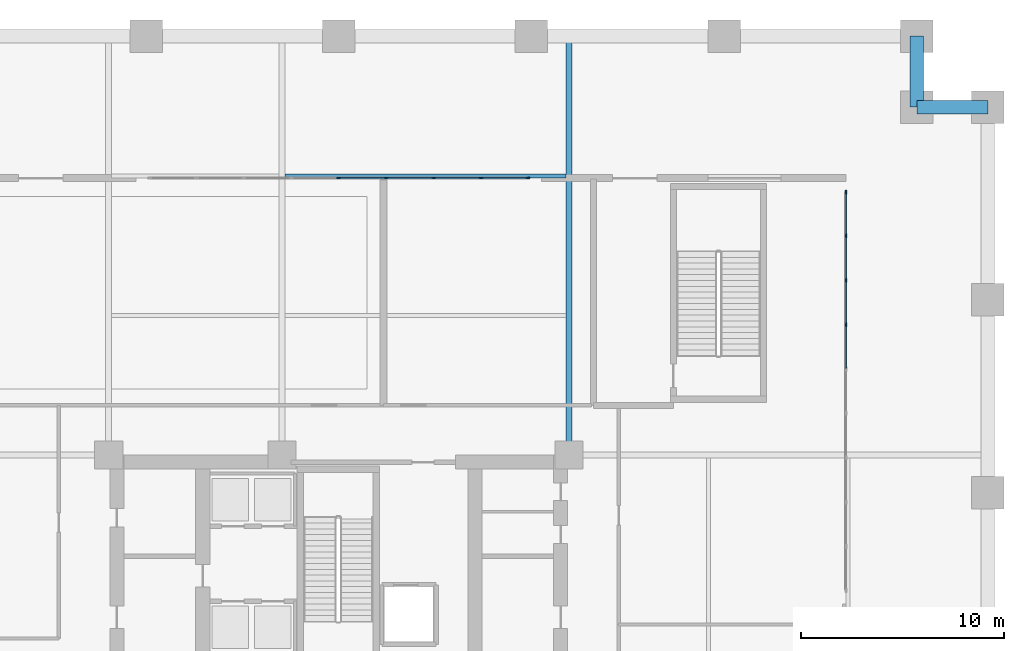
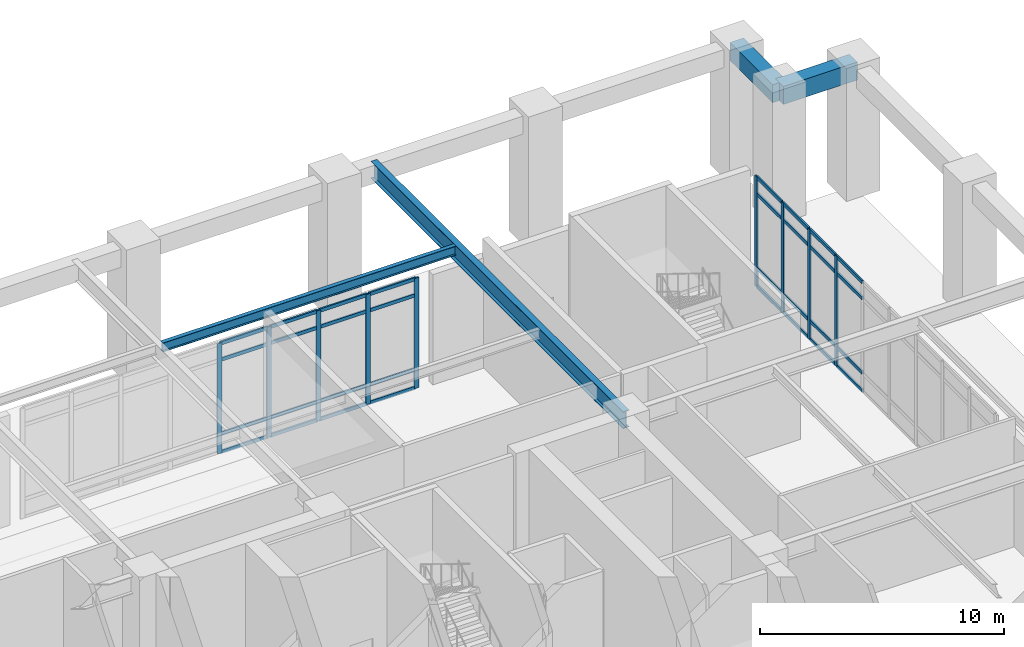
# One storey, part 6 of 17: 41 members, 4 beams, 2 elements without a shape of their own.
"""IFC4 building model written with IfcOpenShell, lengths in metres."""

from ifc_helpers import new_model, si_unit, direction, frame, origin, origin_2d, place, context, subcontext, project, spatial, rectangle, i_section, extrude, material, layer, layer_set, material_profile, profile_set, type_object, element, aggregate, save


model = new_model("IFC4")

# Units and contexts
model_context = context("Model", 3, precision=1e-05, world=origin(), true_north=direction((0.0, 1.0)))
body_context = subcontext(model_context, "Body", "Model", "MODEL_VIEW")
ifc_project = project(units=[si_unit("LENGTHUNIT", "METRE"), si_unit("AREAUNIT", "SQUARE_METRE"), si_unit("VOLUMEUNIT", "CUBIC_METRE"), si_unit("PLANEANGLEUNIT", "RADIAN"), si_unit("MASSUNIT", "GRAM", prefix="KILO")], contexts=[model_context])

# Site, building, storey
site_placement = place(None, origin())
site = spatial("IfcSite", under=ifc_project, at=site_placement, CompositionType="ELEMENT")
building_placement = place(site_placement, origin())
building = spatial("IfcBuilding", under=site, at=building_placement, Name="Nhamokura Convention Tower", CompositionType="ELEMENT")
storey_placement = place(building_placement, origin())
storey = spatial("IfcBuildingStorey", under=building, at=storey_placement, Name="L00", CompositionType="ELEMENT", Elevation=0.0)

# Curtain wall, members
ifc_material_1 = material(Name="Anodised bronze aluminium AA6063-T6", Category="aluminium")
ifc_layer = layer(ifc_material_1, 0.179931640625)
ifc_layer_set = layer_set([ifc_layer], Name="CWSystem_PodiumConcourse")
curtain_wall_type = type_object("IfcCurtainWallType", Name="CWSystem_PodiumConcourse", PredefinedType="NOTDEFINED", material=ifc_layer_set)
curtain_wall_1_placement = place(storey_placement, origin())
curtain_wall_1 = element("IfcCurtainWall", 1, at=curtain_wall_1_placement, inside=storey, type_object=curtain_wall_type, Name="L00 Curtain Wall ENV-L00-CW-NCW", PredefinedType="NOTDEFINED")
ifc_material_2 = material(Name="Anodised bronze aluminium AA6063-T6", Category="aluminium")
ifc_material_profile_1 = material_profile(ifc_material_2, rectangle(XDim=0.077880859375, YDim=0.201904296875, at=origin_2d()))
ifc_profile_set_1 = profile_set([ifc_material_profile_1], Name="Anodised bronze aluminium AA6063-T6")
member_type_1 = type_object("IfcMemberType", Name="CWMullion_1", PredefinedType="MULLION", material=ifc_profile_set_1)
member_1_placement = place(storey_placement, frame((32.0, 57.0, 0.0), z_axis=(0.0, 0.0, 1.0), x_axis=(0.0, 1.0, 0.0)))
member_1 = element("IfcMember", 2, at=member_1_placement, type_object=member_type_1, Name="CW-01 mullion 5", PredefinedType="MULLION", context=body_context, shape_type="SweptSolid", body=[
    extrude(rectangle(XDim=0.077880859375, YDim=0.201904296875, at=origin_2d()), origin(), (0.0, 0.0, 1.0), 5.510009765625),
])
member_2_placement = place(storey_placement, frame((34.33740234375, 57.0, 0.0), z_axis=(0.0, 0.0, 1.0), x_axis=(0.0, 1.0, 0.0)))
member_2 = element("IfcMember", 3, at=member_2_placement, type_object=member_type_1, Name="CW-01 mullion 6", PredefinedType="MULLION", context=body_context, shape_type="SweptSolid", body=[
    extrude(rectangle(XDim=0.077880859375, YDim=0.201904296875, at=origin_2d()), origin(), (0.0, 0.0, 1.0), 5.510009765625),
])
member_3_placement = place(storey_placement, frame((36.675048828125, 57.0, 0.0), z_axis=(0.0, 0.0, 1.0), x_axis=(0.0, 1.0, 0.0)))
member_3 = element("IfcMember", 4, at=member_3_placement, type_object=member_type_1, Name="CW-01 mullion 7", PredefinedType="MULLION", context=body_context, shape_type="SweptSolid", body=[
    extrude(rectangle(XDim=0.077880859375, YDim=0.201904296875, at=origin_2d()), origin(), (0.0, 0.0, 1.0), 5.510009765625),
])
member_4_placement = place(storey_placement, frame((39.012451171875, 57.0, 0.0), z_axis=(0.0, 0.0, 1.0), x_axis=(0.0, 1.0, 0.0)))
member_4 = element("IfcMember", 5, at=member_4_placement, type_object=member_type_1, Name="CW-01 mullion 8", PredefinedType="MULLION", context=body_context, shape_type="SweptSolid", body=[
    extrude(rectangle(XDim=0.077880859375, YDim=0.201904296875, at=origin_2d()), origin(), (0.0, 0.0, 1.0), 5.510009765625),
])
member_5_placement = place(storey_placement, frame((41.31103515625, 57.0, 0.0), z_axis=(0.0, 0.0, 1.0), x_axis=(0.0, 1.0, 0.0)))
member_5 = element("IfcMember", 6, at=member_5_placement, type_object=member_type_1, Name="CW-01 mullion 9", PredefinedType="MULLION", context=body_context, shape_type="SweptSolid", body=[
    extrude(rectangle(XDim=0.077880859375, YDim=0.201904296875, at=origin_2d()), origin(), (0.0, 0.0, 1.0), 5.510009765625),
])

curtain_wall_2_placement = place(storey_placement, origin())
curtain_wall_2 = element("IfcCurtainWall", 7, at=curtain_wall_2_placement, inside=storey, type_object=curtain_wall_type, Name="L00 Curtain Wall ENV-L00-CW-EN", PredefinedType="NOTDEFINED")
member_6_placement = place(storey_placement, frame((57.0, 56.31103515625, 0.0), z_axis=(0.0, 0.0, 1.0), x_axis=(1.0, 0.0, 0.0)))
member_6 = element("IfcMember", 8, at=member_6_placement, type_object=member_type_1, Name="CW-01 mullion 1", PredefinedType="MULLION", context=body_context, shape_type="SweptSolid", body=[
    extrude(rectangle(XDim=0.077880859375, YDim=0.201904296875, at=origin_2d()), origin(), (0.0, 0.0, 1.0), 5.510009765625),
])
member_7_placement = place(storey_placement, frame((57.0, 54.1611328125, 0.0), z_axis=(0.0, 0.0, 1.0), x_axis=(1.0, 0.0, 0.0)))
member_7 = element("IfcMember", 9, at=member_7_placement, type_object=member_type_1, Name="CW-01 mullion 2", PredefinedType="MULLION", context=body_context, shape_type="SweptSolid", body=[
    extrude(rectangle(XDim=0.077880859375, YDim=0.201904296875, at=origin_2d()), origin(), (0.0, 0.0, 1.0), 5.510009765625),
])
member_8_placement = place(storey_placement, frame((57.0, 51.97216796875, 0.0), z_axis=(0.0, 0.0, 1.0), x_axis=(1.0, 0.0, 0.0)))
member_8 = element("IfcMember", 10, at=member_8_placement, type_object=member_type_1, Name="CW-01 mullion 3", PredefinedType="MULLION", context=body_context, shape_type="SweptSolid", body=[
    extrude(rectangle(XDim=0.077880859375, YDim=0.201904296875, at=origin_2d()), origin(), (0.0, 0.0, 1.0), 5.510009765625),
])
member_9_placement = place(storey_placement, frame((57.0, 49.783447265625, 0.0), z_axis=(0.0, 0.0, 1.0), x_axis=(1.0, 0.0, 0.0)))
member_9 = element("IfcMember", 11, at=member_9_placement, type_object=member_type_1, Name="CW-01 mullion 4", PredefinedType="MULLION", context=body_context, shape_type="SweptSolid", body=[
    extrude(rectangle(XDim=0.077880859375, YDim=0.201904296875, at=origin_2d()), origin(), (0.0, 0.0, 1.0), 5.510009765625),
])

# Member
ifc_material_3 = material(Name="Anodised bronze aluminium AA6063-T6", Category="aluminium")
ifc_material_profile_2 = material_profile(ifc_material_3, rectangle(XDim=0.077880859375, YDim=0.172119140625, at=origin_2d()))
ifc_profile_set_2 = profile_set([ifc_material_profile_2], Name="Anodised bronze aluminium AA6063-T6")
member_type_2 = type_object("IfcMemberType", Name="CWTransom_1", PredefinedType="USERDEFINED", material=ifc_profile_set_2)
member_10_placement = place(storey_placement, frame((32.0390625, 57.0, 0.0390625), z_axis=(1.0, 0.0, 0.0), x_axis=(0.0, 1.0, 0.0)))
member_10 = element("IfcMember", 12, at=member_10_placement, type_object=member_type_2, Name="CW-01 transom 5.1", ObjectType="TRANSOM", PredefinedType="USERDEFINED", context=body_context, shape_type="SweptSolid", body=[
    extrude(rectangle(XDim=0.077880859375, YDim=0.172119140625, at=origin_2d()), origin(), (0.0, 0.0, 1.0), 2.259521484375),
])

member_11_placement = place(storey_placement, frame((32.0390625, 57.0, 0.949951171875), z_axis=(1.0, 0.0, 0.0), x_axis=(0.0, 1.0, 0.0)))
member_11 = element("IfcMember", 13, at=member_11_placement, type_object=member_type_2, Name="CW-01 transom 5.2", ObjectType="TRANSOM", PredefinedType="USERDEFINED", context=body_context, shape_type="SweptSolid", body=[
    extrude(rectangle(XDim=0.077880859375, YDim=0.172119140625, at=origin_2d()), origin(), (0.0, 0.0, 1.0), 2.259521484375),
])

member_12_placement = place(storey_placement, frame((32.0390625, 57.0, 4.659912109375), z_axis=(1.0, 0.0, 0.0), x_axis=(0.0, 1.0, 0.0)))
member_12 = element("IfcMember", 14, at=member_12_placement, type_object=member_type_2, Name="CW-01 transom 5.3", ObjectType="TRANSOM", PredefinedType="USERDEFINED", context=body_context, shape_type="SweptSolid", body=[
    extrude(rectangle(XDim=0.077880859375, YDim=0.172119140625, at=origin_2d()), origin(), (0.0, 0.0, 1.0), 2.259521484375),
])

member_13_placement = place(storey_placement, frame((32.0390625, 57.0, 5.470947265625), z_axis=(1.0, 0.0, 0.0), x_axis=(0.0, 1.0, 0.0)))
member_13 = element("IfcMember", 15, at=member_13_placement, type_object=member_type_2, Name="CW-01 transom 5.4", ObjectType="TRANSOM", PredefinedType="USERDEFINED", context=body_context, shape_type="SweptSolid", body=[
    extrude(rectangle(XDim=0.077880859375, YDim=0.172119140625, at=origin_2d()), origin(), (0.0, 0.0, 1.0), 2.259521484375),
])

member_14_placement = place(storey_placement, frame((34.37646484375, 57.0, 0.0390625), z_axis=(1.0, 0.0, 0.0), x_axis=(0.0, 1.0, 0.0)))
member_14 = element("IfcMember", 16, at=member_14_placement, type_object=member_type_2, Name="CW-01 transom 6.1", ObjectType="TRANSOM", PredefinedType="USERDEFINED", context=body_context, shape_type="SweptSolid", body=[
    extrude(rectangle(XDim=0.077880859375, YDim=0.172119140625, at=origin_2d()), origin(), (0.0, 0.0, 1.0), 2.259521484375),
])

member_15_placement = place(storey_placement, frame((34.37646484375, 57.0, 0.949951171875), z_axis=(1.0, 0.0, 0.0), x_axis=(0.0, 1.0, 0.0)))
member_15 = element("IfcMember", 17, at=member_15_placement, type_object=member_type_2, Name="CW-01 transom 6.2", ObjectType="TRANSOM", PredefinedType="USERDEFINED", context=body_context, shape_type="SweptSolid", body=[
    extrude(rectangle(XDim=0.077880859375, YDim=0.172119140625, at=origin_2d()), origin(), (0.0, 0.0, 1.0), 2.259521484375),
])

member_16_placement = place(storey_placement, frame((34.37646484375, 57.0, 4.659912109375), z_axis=(1.0, 0.0, 0.0), x_axis=(0.0, 1.0, 0.0)))
member_16 = element("IfcMember", 18, at=member_16_placement, type_object=member_type_2, Name="CW-01 transom 6.3", ObjectType="TRANSOM", PredefinedType="USERDEFINED", context=body_context, shape_type="SweptSolid", body=[
    extrude(rectangle(XDim=0.077880859375, YDim=0.172119140625, at=origin_2d()), origin(), (0.0, 0.0, 1.0), 2.259521484375),
])

member_17_placement = place(storey_placement, frame((34.37646484375, 57.0, 5.470947265625), z_axis=(1.0, 0.0, 0.0), x_axis=(0.0, 1.0, 0.0)))
member_17 = element("IfcMember", 19, at=member_17_placement, type_object=member_type_2, Name="CW-01 transom 6.4", ObjectType="TRANSOM", PredefinedType="USERDEFINED", context=body_context, shape_type="SweptSolid", body=[
    extrude(rectangle(XDim=0.077880859375, YDim=0.172119140625, at=origin_2d()), origin(), (0.0, 0.0, 1.0), 2.259521484375),
])

member_18_placement = place(storey_placement, frame((36.714111328125, 57.0, 0.0390625), z_axis=(1.0, 0.0, 0.0), x_axis=(0.0, 1.0, 0.0)))
member_18 = element("IfcMember", 20, at=member_18_placement, type_object=member_type_2, Name="CW-01 transom 7.1", ObjectType="TRANSOM", PredefinedType="USERDEFINED", context=body_context, shape_type="SweptSolid", body=[
    extrude(rectangle(XDim=0.077880859375, YDim=0.172119140625, at=origin_2d()), origin(), (0.0, 0.0, 1.0), 2.25927734375),
])

member_19_placement = place(storey_placement, frame((36.714111328125, 57.0, 0.949951171875), z_axis=(1.0, 0.0, 0.0), x_axis=(0.0, 1.0, 0.0)))
member_19 = element("IfcMember", 21, at=member_19_placement, type_object=member_type_2, Name="CW-01 transom 7.2", ObjectType="TRANSOM", PredefinedType="USERDEFINED", context=body_context, shape_type="SweptSolid", body=[
    extrude(rectangle(XDim=0.077880859375, YDim=0.172119140625, at=origin_2d()), origin(), (0.0, 0.0, 1.0), 2.25927734375),
])

member_20_placement = place(storey_placement, frame((36.714111328125, 57.0, 4.659912109375), z_axis=(1.0, 0.0, 0.0), x_axis=(0.0, 1.0, 0.0)))
member_20 = element("IfcMember", 22, at=member_20_placement, type_object=member_type_2, Name="CW-01 transom 7.3", ObjectType="TRANSOM", PredefinedType="USERDEFINED", context=body_context, shape_type="SweptSolid", body=[
    extrude(rectangle(XDim=0.077880859375, YDim=0.172119140625, at=origin_2d()), origin(), (0.0, 0.0, 1.0), 2.25927734375),
])

member_21_placement = place(storey_placement, frame((36.714111328125, 57.0, 5.470947265625), z_axis=(1.0, 0.0, 0.0), x_axis=(0.0, 1.0, 0.0)))
member_21 = element("IfcMember", 23, at=member_21_placement, type_object=member_type_2, Name="CW-01 transom 7.4", ObjectType="TRANSOM", PredefinedType="USERDEFINED", context=body_context, shape_type="SweptSolid", body=[
    extrude(rectangle(XDim=0.077880859375, YDim=0.172119140625, at=origin_2d()), origin(), (0.0, 0.0, 1.0), 2.25927734375),
])

member_22_placement = place(storey_placement, frame((39.051513671875, 57.0, 0.0390625), z_axis=(1.0, 0.0, 0.0), x_axis=(0.0, 1.0, 0.0)))
member_22 = element("IfcMember", 24, at=member_22_placement, type_object=member_type_2, Name="CW-01 transom 8.1", ObjectType="TRANSOM", PredefinedType="USERDEFINED", context=body_context, shape_type="SweptSolid", body=[
    extrude(rectangle(XDim=0.077880859375, YDim=0.172119140625, at=origin_2d()), origin(), (0.0, 0.0, 1.0), 2.220458984375),
])

member_23_placement = place(storey_placement, frame((39.051513671875, 57.0, 0.949951171875), z_axis=(1.0, 0.0, 0.0), x_axis=(0.0, 1.0, 0.0)))
member_23 = element("IfcMember", 25, at=member_23_placement, type_object=member_type_2, Name="CW-01 transom 8.2", ObjectType="TRANSOM", PredefinedType="USERDEFINED", context=body_context, shape_type="SweptSolid", body=[
    extrude(rectangle(XDim=0.077880859375, YDim=0.172119140625, at=origin_2d()), origin(), (0.0, 0.0, 1.0), 2.220458984375),
])

member_24_placement = place(storey_placement, frame((39.051513671875, 57.0, 4.659912109375), z_axis=(1.0, 0.0, 0.0), x_axis=(0.0, 1.0, 0.0)))
member_24 = element("IfcMember", 26, at=member_24_placement, type_object=member_type_2, Name="CW-01 transom 8.3", ObjectType="TRANSOM", PredefinedType="USERDEFINED", context=body_context, shape_type="SweptSolid", body=[
    extrude(rectangle(XDim=0.077880859375, YDim=0.172119140625, at=origin_2d()), origin(), (0.0, 0.0, 1.0), 2.220458984375),
])

member_25_placement = place(storey_placement, frame((39.051513671875, 57.0, 5.470947265625), z_axis=(1.0, 0.0, 0.0), x_axis=(0.0, 1.0, 0.0)))
member_25 = element("IfcMember", 27, at=member_25_placement, type_object=member_type_2, Name="CW-01 transom 8.4", ObjectType="TRANSOM", PredefinedType="USERDEFINED", context=body_context, shape_type="SweptSolid", body=[
    extrude(rectangle(XDim=0.077880859375, YDim=0.172119140625, at=origin_2d()), origin(), (0.0, 0.0, 1.0), 2.220458984375),
])

aggregate(curtain_wall_1, [member_1, member_2, member_3, member_4, member_5, member_10, member_11, member_12, member_13, member_14, member_15, member_16, member_17, member_18, member_19, member_20, member_21, member_22, member_23, member_24, member_25])

member_26_placement = place(storey_placement, frame((57.0, 56.27197265625, 0.0390625), z_axis=(0.0, -1.0, 0.0), x_axis=(1.0, 0.0, 0.0)))
member_26 = element("IfcMember", 28, at=member_26_placement, type_object=member_type_2, Name="CW-01 transom 1.1", ObjectType="TRANSOM", PredefinedType="USERDEFINED", context=body_context, shape_type="SweptSolid", body=[
    extrude(rectangle(XDim=0.077880859375, YDim=0.172119140625, at=origin_2d()), origin(), (0.0, 0.0, 1.0), 2.07177734375),
])

member_27_placement = place(storey_placement, frame((57.0, 56.27197265625, 0.949951171875), z_axis=(0.0, -1.0, 0.0), x_axis=(1.0, 0.0, 0.0)))
member_27 = element("IfcMember", 29, at=member_27_placement, type_object=member_type_2, Name="CW-01 transom 1.2", ObjectType="TRANSOM", PredefinedType="USERDEFINED", context=body_context, shape_type="SweptSolid", body=[
    extrude(rectangle(XDim=0.077880859375, YDim=0.172119140625, at=origin_2d()), origin(), (0.0, 0.0, 1.0), 2.07177734375),
])

member_28_placement = place(storey_placement, frame((57.0, 56.27197265625, 4.659912109375), z_axis=(0.0, -1.0, 0.0), x_axis=(1.0, 0.0, 0.0)))
member_28 = element("IfcMember", 30, at=member_28_placement, type_object=member_type_2, Name="CW-01 transom 1.3", ObjectType="TRANSOM", PredefinedType="USERDEFINED", context=body_context, shape_type="SweptSolid", body=[
    extrude(rectangle(XDim=0.077880859375, YDim=0.172119140625, at=origin_2d()), origin(), (0.0, 0.0, 1.0), 2.07177734375),
])

member_29_placement = place(storey_placement, frame((57.0, 56.27197265625, 5.470947265625), z_axis=(0.0, -1.0, 0.0), x_axis=(1.0, 0.0, 0.0)))
member_29 = element("IfcMember", 31, at=member_29_placement, type_object=member_type_2, Name="CW-01 transom 1.4", ObjectType="TRANSOM", PredefinedType="USERDEFINED", context=body_context, shape_type="SweptSolid", body=[
    extrude(rectangle(XDim=0.077880859375, YDim=0.172119140625, at=origin_2d()), origin(), (0.0, 0.0, 1.0), 2.07177734375),
])

member_30_placement = place(storey_placement, frame((57.0, 54.1220703125, 0.0390625), z_axis=(0.0, -1.0, 0.0), x_axis=(1.0, 0.0, 0.0)))
member_30 = element("IfcMember", 32, at=member_30_placement, type_object=member_type_2, Name="CW-01 transom 2.1", ObjectType="TRANSOM", PredefinedType="USERDEFINED", context=body_context, shape_type="SweptSolid", body=[
    extrude(rectangle(XDim=0.077880859375, YDim=0.172119140625, at=origin_2d()), origin(), (0.0, 0.0, 1.0), 2.11083984375),
])

member_31_placement = place(storey_placement, frame((57.0, 54.1220703125, 0.949951171875), z_axis=(0.0, -1.0, 0.0), x_axis=(1.0, 0.0, 0.0)))
member_31 = element("IfcMember", 33, at=member_31_placement, type_object=member_type_2, Name="CW-01 transom 2.2", ObjectType="TRANSOM", PredefinedType="USERDEFINED", context=body_context, shape_type="SweptSolid", body=[
    extrude(rectangle(XDim=0.077880859375, YDim=0.172119140625, at=origin_2d()), origin(), (0.0, 0.0, 1.0), 2.11083984375),
])

member_32_placement = place(storey_placement, frame((57.0, 54.1220703125, 4.659912109375), z_axis=(0.0, -1.0, 0.0), x_axis=(1.0, 0.0, 0.0)))
member_32 = element("IfcMember", 34, at=member_32_placement, type_object=member_type_2, Name="CW-01 transom 2.3", ObjectType="TRANSOM", PredefinedType="USERDEFINED", context=body_context, shape_type="SweptSolid", body=[
    extrude(rectangle(XDim=0.077880859375, YDim=0.172119140625, at=origin_2d()), origin(), (0.0, 0.0, 1.0), 2.11083984375),
])

member_33_placement = place(storey_placement, frame((57.0, 54.1220703125, 5.470947265625), z_axis=(0.0, -1.0, 0.0), x_axis=(1.0, 0.0, 0.0)))
member_33 = element("IfcMember", 35, at=member_33_placement, type_object=member_type_2, Name="CW-01 transom 2.4", ObjectType="TRANSOM", PredefinedType="USERDEFINED", context=body_context, shape_type="SweptSolid", body=[
    extrude(rectangle(XDim=0.077880859375, YDim=0.172119140625, at=origin_2d()), origin(), (0.0, 0.0, 1.0), 2.11083984375),
])

member_34_placement = place(storey_placement, frame((57.0, 51.93310546875, 0.0390625), z_axis=(0.0, -1.0, 0.0), x_axis=(1.0, 0.0, 0.0)))
member_34 = element("IfcMember", 36, at=member_34_placement, type_object=member_type_2, Name="CW-01 transom 3.1", ObjectType="TRANSOM", PredefinedType="USERDEFINED", context=body_context, shape_type="SweptSolid", body=[
    extrude(rectangle(XDim=0.077880859375, YDim=0.172119140625, at=origin_2d()), origin(), (0.0, 0.0, 1.0), 2.11083984375),
])

member_35_placement = place(storey_placement, frame((57.0, 51.93310546875, 0.949951171875), z_axis=(0.0, -1.0, 0.0), x_axis=(1.0, 0.0, 0.0)))
member_35 = element("IfcMember", 37, at=member_35_placement, type_object=member_type_2, Name="CW-01 transom 3.2", ObjectType="TRANSOM", PredefinedType="USERDEFINED", context=body_context, shape_type="SweptSolid", body=[
    extrude(rectangle(XDim=0.077880859375, YDim=0.172119140625, at=origin_2d()), origin(), (0.0, 0.0, 1.0), 2.11083984375),
])

member_36_placement = place(storey_placement, frame((57.0, 51.93310546875, 4.659912109375), z_axis=(0.0, -1.0, 0.0), x_axis=(1.0, 0.0, 0.0)))
member_36 = element("IfcMember", 38, at=member_36_placement, type_object=member_type_2, Name="CW-01 transom 3.3", ObjectType="TRANSOM", PredefinedType="USERDEFINED", context=body_context, shape_type="SweptSolid", body=[
    extrude(rectangle(XDim=0.077880859375, YDim=0.172119140625, at=origin_2d()), origin(), (0.0, 0.0, 1.0), 2.11083984375),
])

member_37_placement = place(storey_placement, frame((57.0, 51.93310546875, 5.470947265625), z_axis=(0.0, -1.0, 0.0), x_axis=(1.0, 0.0, 0.0)))
member_37 = element("IfcMember", 39, at=member_37_placement, type_object=member_type_2, Name="CW-01 transom 3.4", ObjectType="TRANSOM", PredefinedType="USERDEFINED", context=body_context, shape_type="SweptSolid", body=[
    extrude(rectangle(XDim=0.077880859375, YDim=0.172119140625, at=origin_2d()), origin(), (0.0, 0.0, 1.0), 2.11083984375),
])

member_38_placement = place(storey_placement, frame((57.0, 49.744384765625, 0.0390625), z_axis=(0.0, -1.0, 0.0), x_axis=(1.0, 0.0, 0.0)))
member_38 = element("IfcMember", 40, at=member_38_placement, type_object=member_type_2, Name="CW-01 transom 4.1", ObjectType="TRANSOM", PredefinedType="USERDEFINED", context=body_context, shape_type="SweptSolid", body=[
    extrude(rectangle(XDim=0.077880859375, YDim=0.172119140625, at=origin_2d()), origin(), (0.0, 0.0, 1.0), 2.11083984375),
])

member_39_placement = place(storey_placement, frame((57.0, 49.744384765625, 0.949951171875), z_axis=(0.0, -1.0, 0.0), x_axis=(1.0, 0.0, 0.0)))
member_39 = element("IfcMember", 41, at=member_39_placement, type_object=member_type_2, Name="CW-01 transom 4.2", ObjectType="TRANSOM", PredefinedType="USERDEFINED", context=body_context, shape_type="SweptSolid", body=[
    extrude(rectangle(XDim=0.077880859375, YDim=0.172119140625, at=origin_2d()), origin(), (0.0, 0.0, 1.0), 2.11083984375),
])

member_40_placement = place(storey_placement, frame((57.0, 49.744384765625, 4.659912109375), z_axis=(0.0, -1.0, 0.0), x_axis=(1.0, 0.0, 0.0)))
member_40 = element("IfcMember", 42, at=member_40_placement, type_object=member_type_2, Name="CW-01 transom 4.3", ObjectType="TRANSOM", PredefinedType="USERDEFINED", context=body_context, shape_type="SweptSolid", body=[
    extrude(rectangle(XDim=0.077880859375, YDim=0.172119140625, at=origin_2d()), origin(), (0.0, 0.0, 1.0), 2.11083984375),
])

member_41_placement = place(storey_placement, frame((57.0, 49.744384765625, 5.470947265625), z_axis=(0.0, -1.0, 0.0), x_axis=(1.0, 0.0, 0.0)))
member_41 = element("IfcMember", 43, at=member_41_placement, type_object=member_type_2, Name="CW-01 transom 4.4", ObjectType="TRANSOM", PredefinedType="USERDEFINED", context=body_context, shape_type="SweptSolid", body=[
    extrude(rectangle(XDim=0.077880859375, YDim=0.172119140625, at=origin_2d()), origin(), (0.0, 0.0, 1.0), 2.11083984375),
])

aggregate(curtain_wall_2, [member_6, member_7, member_8, member_9, member_26, member_27, member_28, member_29, member_30, member_31, member_32, member_33, member_34, member_35, member_36, member_37, member_38, member_39, member_40, member_41])

# Beams
ifc_material_4 = material(Name="Steel ASTM A992 Gr 50", Category="steel")
ifc_material_profile_3 = material_profile(ifc_material_4, i_section(OverallWidth=0.19189453125, OverallDepth=0.462890625, WebThickness=0.010498046875, FlangeThickness=0.017578125, at=origin_2d()))
ifc_profile_set_3 = profile_set([ifc_material_profile_3], Name="Steel ASTM A992 Gr 50")
beam_type_1 = type_object("IfcBeamType", Name="FloorJoist_W460X89", PredefinedType="JOIST", material=ifc_profile_set_3)
beam_1_placement = place(storey_placement, frame((29.344970703125, 57.11669921875, 6.178466796875), z_axis=(1.0, 0.0, 0.0), x_axis=(0.0, 1.0, 0.0)))
element("IfcBeam", 44, at=beam_1_placement, inside=storey, type_object=beam_type_1, Name="L00 Composite Floor Joist N2B", PredefinedType="JOIST", context=body_context, shape_type="SweptSolid", body=[
    extrude(i_section(OverallWidth=0.19189453125, OverallDepth=0.462890625, WebThickness=0.010498046875, FlangeThickness=0.017578125, at=origin_2d()), origin(), (0.0, 0.0, 1.0), 13.860107421875),
])
ifc_material_5 = material(Name="Steel ASTM A992 Gr 50", Category="steel")
ifc_material_profile_4 = material_profile(ifc_material_5, i_section(OverallWidth=0.2939453125, OverallDepth=0.85107421875, WebThickness=0.01611328125, FlangeThickness=0.02685546875, at=origin_2d()))
ifc_profile_set_4 = profile_set([ifc_material_profile_4], Name="Steel ASTM A992 Gr 50")
beam_type_2 = type_object("IfcBeamType", Name="HallGirder_W840X226", PredefinedType="BEAM", material=ifc_profile_set_4)
beam_2_placement = place(storey_placement, frame((43.35009765625, 43.35009765625, 5.984619140625), z_axis=(0.0, 1.0, 0.0), x_axis=(-1.0, 0.0, 0.0)))
element("IfcBeam", 45, at=beam_2_placement, inside=storey, type_object=beam_type_2, Name="L00 Primary Floor Girder PG-N3", PredefinedType="BEAM", context=body_context, shape_type="SweptSolid", body=[
    extrude(i_section(OverallWidth=0.2939453125, OverallDepth=0.85107421875, WebThickness=0.01611328125, FlangeThickness=0.02685546875, at=origin_2d()), origin(), (0.0, 0.0, 1.0), 20.64990234375),
])
ifc_material_6 = material(Name="Concrete C60/75", Category="concrete")
ifc_material_profile_5 = material_profile(ifc_material_6, rectangle(XDim=0.64990234375, YDim=0.89990234375, at=origin_2d()))
ifc_profile_set_5 = profile_set([ifc_material_profile_5], Name="Concrete C60/75")
beam_type_3 = type_object("IfcBeamType", Name="TubeSpandrel_900", PredefinedType="SPANDREL", material=ifc_profile_set_5)
for number, where, z_axis, x_axis, name in (
    (46, (64.0, 60.5, 5.9599609375), (-1.0, 0.0, 0.0), (0.0, -1.0, 0.0), "L00 Notch Spandrel NE1"),
    (47, (60.5, 60.5, 5.9599609375), (0.0, 1.0, 0.0), (-1.0, 0.0, 0.0), "L00 Notch Spandrel NE2"),
):
    element("IfcBeam", number, at=place(storey_placement, frame(where, z_axis=z_axis, x_axis=x_axis)), inside=storey, type_object=beam_type_3, Name=name, PredefinedType="SPANDREL", context=body_context, shape_type="SweptSolid", body=[
        extrude(rectangle(XDim=0.64990234375, YDim=0.89990234375, at=origin_2d()), origin(), (0.0, 0.0, 1.0), 3.5),
    ])

save(model, "model.ifc")
